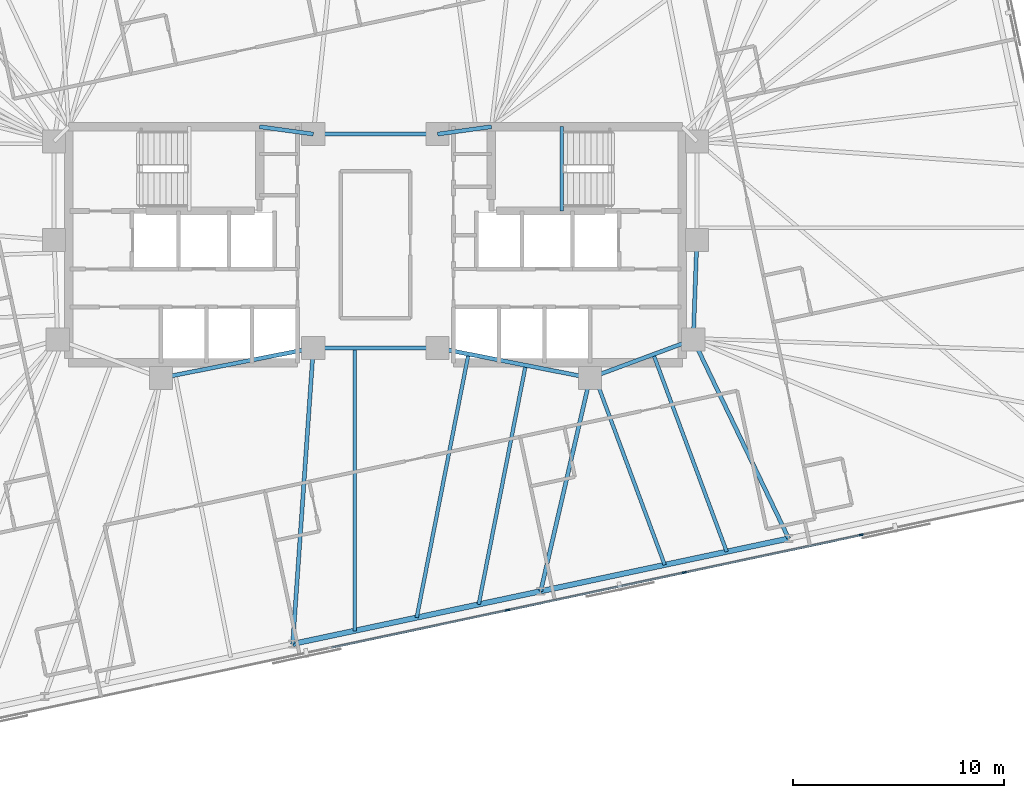
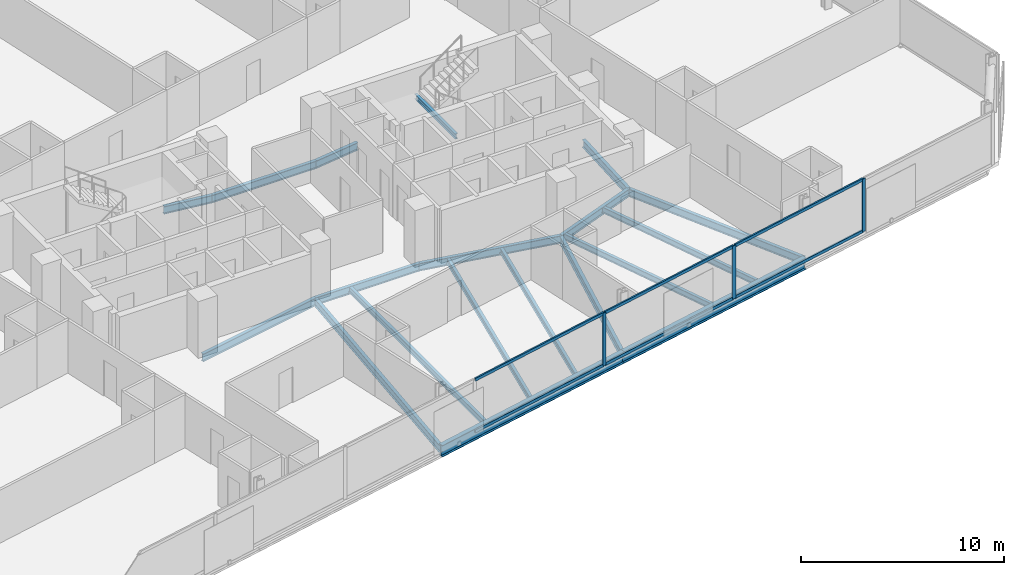
# One storey, part 7 of 19: 19 beams, 9 members, 1 element without a shape of its own.
"""IFC4 building model written with IfcOpenShell, lengths in metres."""

from ifc_helpers import new_model, si_unit, direction, frame, origin, origin_2d, place, context, subcontext, project, spatial, rectangle, i_section, extrude, material, material_profile, profile_set, type_object, element, aggregate, save


model = new_model("IFC4")

# Units and contexts
model_context = context("Model", 3, precision=1e-05, world=origin(), true_north=direction((0.0, 1.0)))
body_context = subcontext(model_context, "Body", "Model", "MODEL_VIEW")
ifc_project = project(units=[si_unit("LENGTHUNIT", "METRE"), si_unit("AREAUNIT", "SQUARE_METRE"), si_unit("VOLUMEUNIT", "CUBIC_METRE"), si_unit("PLANEANGLEUNIT", "RADIAN"), si_unit("MASSUNIT", "GRAM", prefix="KILO")], contexts=[model_context])

# Site, building, storey
site_placement = place(None, origin())
site = spatial("IfcSite", under=ifc_project, at=site_placement, CompositionType="ELEMENT")
building_placement = place(site_placement, origin())
building = spatial("IfcBuilding", under=site, at=building_placement, Name="Menara Jurai Vektor", CompositionType="ELEMENT")
storey_placement = place(building_placement, frame((0.0, 0.0, 161.60009765625)))
storey = spatial("IfcBuildingStorey", under=building, at=storey_placement, Name="L41", CompositionType="ELEMENT", Elevation=161.60009765625)

# Curtain wall, members
ifc_material_1 = material(Name="Anodised Pale Aluminium & Low-E Double Glazing", Category="aluminium")
curtain_wall_type = type_object("IfcCurtainWallType", Name="CW-BLK3", PredefinedType="NOTDEFINED", material=ifc_material_1)
curtain_wall_placement = place(storey_placement, origin())
curtain_wall = element("IfcCurtainWall", 1, at=curtain_wall_placement, inside=storey, type_object=curtain_wall_type, Name="Unitised Curtain Wall L41 F01", PredefinedType="NOTDEFINED")
ifc_material_2 = material(Name="Anodised Pale Aluminium Mullion", Category="aluminium")
ifc_material_profile_1 = material_profile(ifc_material_2, rectangle(XDim=0.0849609375, YDim=0.205078125, at=origin_2d()), Name="ALU MUL 85x205")
ifc_profile_set_1 = profile_set([ifc_material_profile_1], Name="Anodised Pale Aluminium Mullion")
member_type_1 = type_object("IfcMemberType", Name="CW-BLK3-MUL", PredefinedType="MULLION", material=ifc_profile_set_1)
member_1_placement = place(storey_placement, frame((6.264892578125, -17.338623046875, 0.0), z_axis=(0.0, 0.0, 1.0), x_axis=(-0.207911344156, 0.978147674419, 0.0)))
member_1 = element("IfcMember", 2, at=member_1_placement, type_object=member_type_1, Name="CW-03 mullion 5", PredefinedType="MULLION", context=body_context, shape_type="SweptSolid", body=[
    extrude(rectangle(XDim=0.0849609375, YDim=0.205078125, at=origin_2d()), origin(), (0.0, 0.0, 1.0), 3.1748046875),
])
member_2_placement = place(storey_placement, frame((14.65478515625, -15.55517578125, 0.0), z_axis=(0.0, 0.0, 1.0), x_axis=(-0.207911344156, 0.978147674419, 0.0)))
member_2 = element("IfcMember", 3, at=member_2_placement, type_object=member_type_1, Name="CW-03 mullion 6", PredefinedType="MULLION", context=body_context, shape_type="SweptSolid", body=[
    extrude(rectangle(XDim=0.0849609375, YDim=0.205078125, at=origin_2d()), origin(), (0.0, 0.0, 1.0), 3.1748046875),
])
member_3_placement = place(storey_placement, frame((23.04443359375, -13.77197265625, 0.0), z_axis=(0.0, 0.0, 1.0), x_axis=(-0.207911344156, 0.978147674419, 0.0)))
member_3 = element("IfcMember", 4, at=member_3_placement, type_object=member_type_1, Name="CW-03 mullion 7", PredefinedType="MULLION", context=body_context, shape_type="SweptSolid", body=[
    extrude(rectangle(XDim=0.0849609375, YDim=0.205078125, at=origin_2d()), origin(), (0.0, 0.0, 1.0), 3.1748046875),
])
ifc_material_3 = material(Name="Anodised Pale Aluminium Transom", Category="aluminium")
ifc_material_profile_2 = material_profile(ifc_material_3, rectangle(XDim=0.0849609375, YDim=0.175048828125, at=origin_2d()), Name="ALU TRN 85x175")
ifc_profile_set_2 = profile_set([ifc_material_profile_2], Name="Anodised Pale Aluminium Transom")
member_type_2 = type_object("IfcMemberType", Name="CW-BLK3-TRN", PredefinedType="USERDEFINED", material=ifc_profile_set_2)
member_4_placement = place(storey_placement, frame((-2.083251953125, -19.113037109375, 0.04248046875), z_axis=(0.978147743708, 0.207911018178, 0.0), x_axis=(-0.207911018178, 0.978147743708, 0.0)))
member_4 = element("IfcMember", 5, at=member_4_placement, type_object=member_type_2, Name="CW-03 transom 4.1", ObjectType="TRANSOM", PredefinedType="USERDEFINED", context=body_context, shape_type="SweptSolid", body=[
    extrude(rectangle(XDim=0.0849609375, YDim=0.175048828125, at=origin_2d()), origin(), (0.0, 0.0, 1.0), 8.4921875),
])
member_5_placement = place(storey_placement, frame((-2.083251953125, -19.113037109375, 3.13232421875), z_axis=(0.978147743708, 0.207911018178, 0.0), x_axis=(-0.207911018178, 0.978147743708, 0.0)))
member_5 = element("IfcMember", 6, at=member_5_placement, type_object=member_type_2, Name="CW-03 transom 4.2", ObjectType="TRANSOM", PredefinedType="USERDEFINED", context=body_context, shape_type="SweptSolid", body=[
    extrude(rectangle(XDim=0.0849609375, YDim=0.175048828125, at=origin_2d()), origin(), (0.0, 0.0, 1.0), 8.4921875),
])
member_6_placement = place(storey_placement, frame((6.306640625, -17.329833984375, 0.04248046875), z_axis=(0.978146500933, 0.207916864907, 0.0), x_axis=(-0.207916864907, 0.978146500933, 0.0)))
member_6 = element("IfcMember", 7, at=member_6_placement, type_object=member_type_2, Name="CW-03 transom 5.1", ObjectType="TRANSOM", PredefinedType="USERDEFINED", context=body_context, shape_type="SweptSolid", body=[
    extrude(rectangle(XDim=0.0849609375, YDim=0.175048828125, at=origin_2d()), origin(), (0.0, 0.0, 1.0), 8.491943359375),
])
member_7_placement = place(storey_placement, frame((6.306640625, -17.329833984375, 3.13232421875), z_axis=(0.978146500933, 0.207916864907, 0.0), x_axis=(-0.207916864907, 0.978146500933, 0.0)))
member_7 = element("IfcMember", 8, at=member_7_placement, type_object=member_type_2, Name="CW-03 transom 5.2", ObjectType="TRANSOM", PredefinedType="USERDEFINED", context=body_context, shape_type="SweptSolid", body=[
    extrude(rectangle(XDim=0.0849609375, YDim=0.175048828125, at=origin_2d()), origin(), (0.0, 0.0, 1.0), 8.491943359375),
])
member_8_placement = place(storey_placement, frame((14.6962890625, -15.54638671875, 0.04248046875), z_axis=(0.978147743708, 0.207911018178, 0.0), x_axis=(-0.207911018178, 0.978147743708, 0.0)))
member_8 = element("IfcMember", 9, at=member_8_placement, type_object=member_type_2, Name="CW-03 transom 6.1", ObjectType="TRANSOM", PredefinedType="USERDEFINED", context=body_context, shape_type="SweptSolid", body=[
    extrude(rectangle(XDim=0.0849609375, YDim=0.175048828125, at=origin_2d()), origin(), (0.0, 0.0, 1.0), 8.4921875),
])
member_9_placement = place(storey_placement, frame((14.6962890625, -15.54638671875, 3.13232421875), z_axis=(0.978147743708, 0.207911018178, 0.0), x_axis=(-0.207911018178, 0.978147743708, 0.0)))
member_9 = element("IfcMember", 10, at=member_9_placement, type_object=member_type_2, Name="CW-03 transom 6.2", ObjectType="TRANSOM", PredefinedType="USERDEFINED", context=body_context, shape_type="SweptSolid", body=[
    extrude(rectangle(XDim=0.0849609375, YDim=0.175048828125, at=origin_2d()), origin(), (0.0, 0.0, 1.0), 8.4921875),
])
aggregate(curtain_wall, [member_1, member_2, member_3, member_4, member_5, member_6, member_7, member_8, member_9])

# Beams
ifc_material_4 = material(Name="Steel S355", Category="steel")
ifc_material_profile_3 = material_profile(ifc_material_4, i_section(OverallWidth=0.19091796875, OverallDepth=0.4599609375, WebThickness=0.010009765625, FlangeThickness=0.01611328125, FilletRadius=0.010009765625, at=origin_2d()), Name="UKB 457x191x82")
ifc_profile_set_3 = profile_set([ifc_material_profile_3], Name="Steel S355")
beam_type_1 = type_object("IfcBeamType", Name="STR-BM-457", PredefinedType="BEAM", material=ifc_profile_set_3)
beam_1_placement = place(storey_placement, frame((-5.5, 5.60009765625, -0.455078125), z_axis=(0.990706818608, -0.136014703483, 0.0), x_axis=(0.136014703483, 0.990706818608, 0.0)))
element("IfcBeam", 11, at=beam_1_placement, inside=storey, type_object=beam_type_1, Name="Core Ring Header Girder L41-CHW-N2", PredefinedType="BEAM", context=body_context, shape_type="SweptSolid", body=[
    extrude(i_section(OverallWidth=0.19091796875, OverallDepth=0.4599609375, WebThickness=0.010009765625, FlangeThickness=0.01611328125, FilletRadius=0.010009765625, at=origin_2d()), origin(), (0.0, 0.0, 1.0), 2.573974609375),
])
beam_2_placement = place(storey_placement, frame((-10.179931640625, -6.320068359375, -0.455078125), z_axis=(0.981249044334, 0.192744164614, 0.0), x_axis=(-0.192744164614, 0.981249044334, 0.0)))
element("IfcBeam", 12, at=beam_2_placement, inside=storey, type_object=beam_type_1, Name="Core Ring Header Girder L41-CHW-S2", PredefinedType="BEAM", context=body_context, shape_type="SweptSolid", body=[
    extrude(i_section(OverallWidth=0.19091796875, OverallDepth=0.4599609375, WebThickness=0.010009765625, FlangeThickness=0.01611328125, FilletRadius=0.010009765625, at=origin_2d()), origin(), (0.0, 0.0, 1.0), 7.3681640625),
])
beam_3_placement = place(storey_placement, frame((2.949951171875, 5.25, -0.455078125), z_axis=(0.990706818608, 0.136014703483, 0.0), x_axis=(-0.136014703483, 0.990706818608, 0.0)))
element("IfcBeam", 13, at=beam_3_placement, inside=storey, type_object=beam_type_1, Name="Core Ring Header Girder L41-CHE-N1", PredefinedType="BEAM", context=body_context, shape_type="SweptSolid", body=[
    extrude(i_section(OverallWidth=0.19091796875, OverallDepth=0.4599609375, WebThickness=0.010009765625, FlangeThickness=0.01611328125, FilletRadius=0.010009765625, at=origin_2d()), origin(), (0.0, 0.0, 1.0), 2.573974609375),
])
beam_4_placement = place(storey_placement, frame((15.080078125, -4.5, -0.455078125), z_axis=(0.035977314146, 0.999352606874, 0.0), x_axis=(-0.999352606874, 0.035977314146, 0.0)))
element("IfcBeam", 14, at=beam_4_placement, inside=storey, type_object=beam_type_1, Name="Core Ring Header Girder L41-CHE-E2", PredefinedType="BEAM", context=body_context, shape_type="SweptSolid", body=[
    extrude(i_section(OverallWidth=0.19091796875, OverallDepth=0.4599609375, WebThickness=0.010009765625, FlangeThickness=0.01611328125, FilletRadius=0.010009765625, at=origin_2d()), origin(), (0.0, 0.0, 1.0), 4.72314453125),
])
beam_5_placement = place(storey_placement, frame((10.179931640625, -6.320068359375, -0.455078125), z_axis=(0.937424400887, 0.348188874925, 0.0), x_axis=(-0.348188874925, 0.937424400887, 0.0)))
element("IfcBeam", 15, at=beam_5_placement, inside=storey, type_object=beam_type_1, Name="Core Ring Header Girder L41-CHE-S1", PredefinedType="BEAM", context=body_context, shape_type="SweptSolid", body=[
    extrude(i_section(OverallWidth=0.19091796875, OverallDepth=0.4599609375, WebThickness=0.010009765625, FlangeThickness=0.01611328125, FilletRadius=0.010009765625, at=origin_2d()), origin(), (0.0, 0.0, 1.0), 5.227294921875),
])
beam_6_placement = place(storey_placement, frame((2.949951171875, -4.89990234375, -0.455078125), z_axis=(0.981249044334, -0.192744164614, 0.0), x_axis=(0.192744164614, 0.981249044334, 0.0)))
element("IfcBeam", 16, at=beam_6_placement, inside=storey, type_object=beam_type_1, Name="Core Ring Header Girder L41-CHE-S2", PredefinedType="BEAM", context=body_context, shape_type="SweptSolid", body=[
    extrude(i_section(OverallWidth=0.19091796875, OverallDepth=0.4599609375, WebThickness=0.010009765625, FlangeThickness=0.01611328125, FilletRadius=0.010009765625, at=origin_2d()), origin(), (0.0, 0.0, 1.0), 7.3681640625),
])
for number, where, z_axis, x_axis, name in (
    (17, (-2.949951171875, -4.89990234375, -0.455078125), (1.0, 0.0, 0.0), (0.0, 1.0, 0.0), "Core Ring Header Girder L41-CC-1"),
    (18, (-2.949951171875, 5.25, -0.455078125), (1.0, 0.0, 0.0), (0.0, 1.0, 0.0), "Core Ring Header Girder L41-CC-2"),
):
    element("IfcBeam", number, at=place(storey_placement, frame(where, z_axis=z_axis, x_axis=x_axis)), inside=storey, type_object=beam_type_1, Name=name, PredefinedType="BEAM", context=body_context, shape_type="SweptSolid", body=[
        extrude(i_section(OverallWidth=0.19091796875, OverallDepth=0.4599609375, WebThickness=0.010009765625, FlangeThickness=0.01611328125, FilletRadius=0.010009765625, at=origin_2d()), origin(), (0.0, 0.0, 1.0), 5.89990234375),
    ])
beam_7_placement = place(storey_placement, frame((-3.928466796875, -18.94287109375, -0.455078125), z_axis=(0.06951156523, 0.997581145722, 0.0), x_axis=(-0.997581145722, 0.06951156523, 0.0)))
element("IfcBeam", 19, at=beam_7_placement, inside=storey, type_object=beam_type_1, Name="Radial Floor Girder L41-S3", PredefinedType="BEAM", context=body_context, shape_type="SweptSolid", body=[
    extrude(i_section(OverallWidth=0.19091796875, OverallDepth=0.4599609375, WebThickness=0.010009765625, FlangeThickness=0.01611328125, FilletRadius=0.010009765625, at=origin_2d()), origin(), (0.0, 0.0, 1.0), 14.076904296875),
])
beam_8_placement = place(storey_placement, frame((7.83984375, -16.44140625, -0.455078125), z_axis=(0.225261124248, 0.974298427538, 0.0), x_axis=(-0.974298427538, 0.225261124248, 0.0)))
element("IfcBeam", 20, at=beam_8_placement, inside=storey, type_object=beam_type_1, Name="Radial Floor Girder L41-S4", PredefinedType="BEAM", context=body_context, shape_type="SweptSolid", body=[
    extrude(i_section(OverallWidth=0.19091796875, OverallDepth=0.4599609375, WebThickness=0.010009765625, FlangeThickness=0.01611328125, FilletRadius=0.010009765625, at=origin_2d()), origin(), (0.0, 0.0, 1.0), 10.388427734375),
])
beam_9_placement = place(storey_placement, frame((19.608154296875, -13.940185546875, -0.455078125), z_axis=(-0.432481646932, 0.901642736935, 0.0), x_axis=(-0.901642736935, -0.432481646932, 0.0)))
element("IfcBeam", 21, at=beam_9_placement, inside=storey, type_object=beam_type_1, Name="Radial Floor Girder L41-S5", PredefinedType="BEAM", context=body_context, shape_type="SweptSolid", body=[
    extrude(i_section(OverallWidth=0.19091796875, OverallDepth=0.4599609375, WebThickness=0.010009765625, FlangeThickness=0.01611328125, FilletRadius=0.010009765625, at=origin_2d()), origin(), (0.0, 0.0, 1.0), 10.469970703125),
])
ifc_material_profile_4 = material_profile(ifc_material_4, i_section(OverallWidth=0.172119140625, OverallDepth=0.35498046875, WebThickness=0.007080078125, FlangeThickness=0.011962890625, FilletRadius=0.010009765625, at=origin_2d()), Name="UKB 356x171x51")
ifc_profile_set_4 = profile_set([ifc_material_profile_4], Name="Steel S355")
beam_type_2 = type_object("IfcBeamType", Name="STR-JS-356", PredefinedType="JOIST", material=ifc_profile_set_4)
beam_10_placement = place(storey_placement, frame((-0.986328125, -18.3173828125, -0.402587890625), z_axis=(0.0, 1.0, 0.0), x_axis=(-1.0, 0.0, 0.0)))
element("IfcBeam", 22, at=beam_10_placement, inside=storey, type_object=beam_type_2, Name="Radial Secondary Floor Joist L41-JS05", PredefinedType="JOIST", context=body_context, shape_type="SweptSolid", body=[
    extrude(i_section(OverallWidth=0.172119140625, OverallDepth=0.35498046875, WebThickness=0.007080078125, FlangeThickness=0.011962890625, FilletRadius=0.010009765625, at=origin_2d()), origin(), (0.0, 0.0, 1.0), 13.41748046875),
])
beam_11_placement = place(storey_placement, frame((1.955810546875, -17.692138671875, -0.402587890625), z_axis=(0.192721917664, 0.981253413982, 0.0), x_axis=(-0.981253413982, 0.192721917664, 0.0)))
element("IfcBeam", 23, at=beam_11_placement, inside=storey, type_object=beam_type_2, Name="Radial Secondary Floor Joist L41-JS06", PredefinedType="JOIST", context=body_context, shape_type="SweptSolid", body=[
    extrude(i_section(OverallWidth=0.172119140625, OverallDepth=0.35498046875, WebThickness=0.007080078125, FlangeThickness=0.011962890625, FilletRadius=0.010009765625, at=origin_2d()), origin(), (0.0, 0.0, 1.0), 12.744140625),
])
beam_12_placement = place(storey_placement, frame((4.897705078125, -17.06689453125, -0.402587890625), z_axis=(0.19272061905, 0.981253669034, 0.0), x_axis=(-0.981253669034, 0.19272061905, 0.0)))
element("IfcBeam", 24, at=beam_12_placement, inside=storey, type_object=beam_type_2, Name="Radial Secondary Floor Joist L41-JS07", PredefinedType="JOIST", context=body_context, shape_type="SweptSolid", body=[
    extrude(i_section(OverallWidth=0.172119140625, OverallDepth=0.35498046875, WebThickness=0.007080078125, FlangeThickness=0.011962890625, FilletRadius=0.010009765625, at=origin_2d()), origin(), (0.0, 0.0, 1.0), 11.5634765625),
])
beam_13_placement = place(storey_placement, frame((13.72412109375, -15.19091796875, -0.402587890625), z_axis=(-0.348196799641, 0.93742145736, 0.0), x_axis=(-0.93742145736, -0.348196799641, 0.0)))
element("IfcBeam", 25, at=beam_13_placement, inside=storey, type_object=beam_type_2, Name="Radial Secondary Floor Joist L41-JS08", PredefinedType="JOIST", context=body_context, shape_type="SweptSolid", body=[
    extrude(i_section(OverallWidth=0.172119140625, OverallDepth=0.35498046875, WebThickness=0.007080078125, FlangeThickness=0.011962890625, FilletRadius=0.010009765625, at=origin_2d()), origin(), (0.0, 0.0, 1.0), 9.5498046875),
])
beam_14_placement = place(storey_placement, frame((16.666015625, -14.5654296875, -0.402587890625), z_axis=(-0.348180392292, 0.93742755156, 0.0), x_axis=(-0.93742755156, -0.348180392292, 0.0)))
element("IfcBeam", 26, at=beam_14_placement, inside=storey, type_object=beam_type_2, Name="Radial Secondary Floor Joist L41-JS09", PredefinedType="JOIST", context=body_context, shape_type="SweptSolid", body=[
    extrude(i_section(OverallWidth=0.172119140625, OverallDepth=0.35498046875, WebThickness=0.007080078125, FlangeThickness=0.011962890625, FilletRadius=0.010009765625, at=origin_2d()), origin(), (0.0, 0.0, 1.0), 9.98779296875),
])
ifc_material_profile_5 = material_profile(ifc_material_4, i_section(OverallWidth=0.1650390625, OverallDepth=0.302978515625, WebThickness=0.006103515625, FlangeThickness=0.010009765625, FilletRadius=0.009033203125, at=origin_2d()), Name="UKB 305x165x40")
ifc_profile_set_5 = profile_set([ifc_material_profile_5], Name="Steel S355")
beam_type_3 = type_object("IfcBeamType", Name="STR-LN-305", PredefinedType="LINTEL", material=ifc_profile_set_5)
beam_15_placement = place(storey_placement, frame((8.830078125, 1.60009765625, 1.348388671875), z_axis=(0.0, 1.0, 0.0), x_axis=(-1.0, 0.0, 0.0)))
element("IfcBeam", 27, at=beam_15_placement, inside=storey, type_object=beam_type_3, Name="Stair Half-Landing Nosing Trimmer ST2-1 L41", PredefinedType="LINTEL", context=body_context, shape_type="SweptSolid", body=[
    extrude(i_section(OverallWidth=0.1650390625, OverallDepth=0.302978515625, WebThickness=0.006103515625, FlangeThickness=0.010009765625, FilletRadius=0.009033203125, at=origin_2d()), origin(), (0.0, 0.0, 1.0), 4.0),
])
ifc_material_5 = material(Name="Steel S460", Category="steel")
ifc_material_profile_6 = material_profile(ifc_material_5, i_section(OverallWidth=0.256103515625, OverallDepth=0.693115234375, WebThickness=0.013916015625, FlangeThickness=0.02392578125, FilletRadius=0.014892578125, at=origin_2d()), Name="UKB 686x254x170")
ifc_profile_set_6 = profile_set([ifc_material_profile_6], Name="Steel S460")
beam_type_4 = type_object("IfcBeamType", Name="STR-SP-686", PredefinedType="SPANDREL", material=ifc_profile_set_6)
for number, where, z_axis, x_axis, name in (
    (28, (-3.928466796875, -18.94287109375, -0.571533203125), (0.978147039247, 0.207914332389, 0.0), (-0.207914332389, 0.978147039247, 0.0), "Exoskeleton Spandrel Beam L41-03"),
    (29, (7.83984375, -16.44140625, -0.571533203125), (0.978151165921, 0.207894917222, 0.0), (-0.207894917222, 0.978151165921, 0.0), "Exoskeleton Spandrel Beam L41-04"),
):
    element("IfcBeam", number, at=place(storey_placement, frame(where, z_axis=z_axis, x_axis=x_axis)), inside=storey, type_object=beam_type_4, Name=name, PredefinedType="SPANDREL", context=body_context, shape_type="SweptSolid", body=[
        extrude(i_section(OverallWidth=0.256103515625, OverallDepth=0.693115234375, WebThickness=0.013916015625, FlangeThickness=0.02392578125, FilletRadius=0.014892578125, at=origin_2d()), origin(), (0.0, 0.0, 1.0), 12.03125),
    ])

save(model, "model.ifc")
